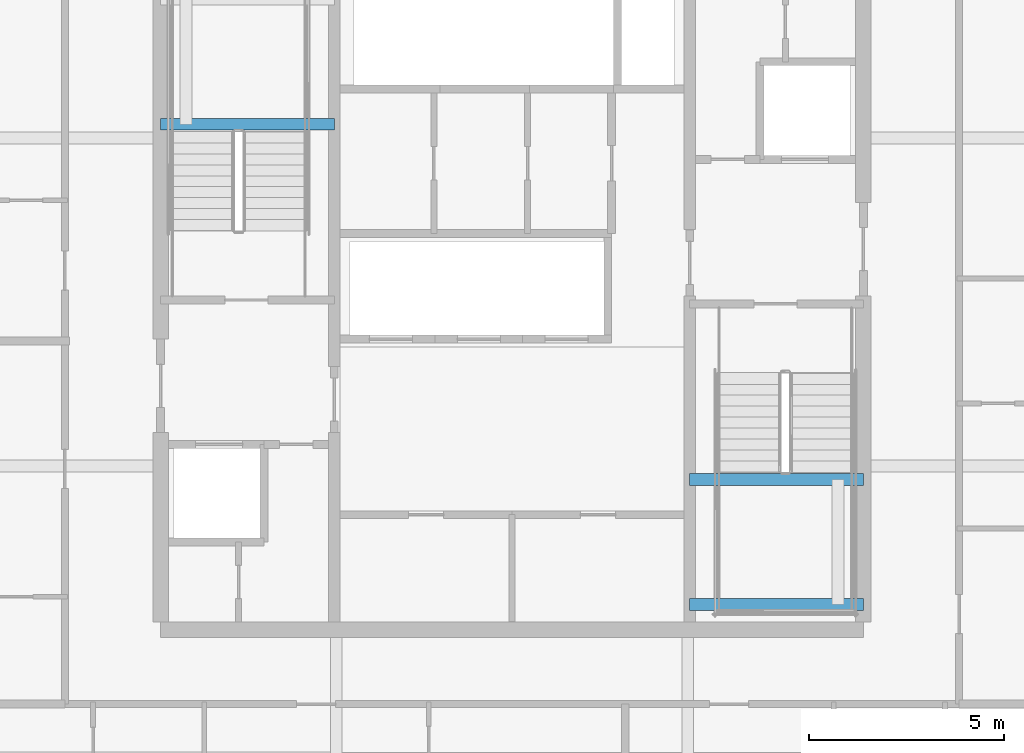
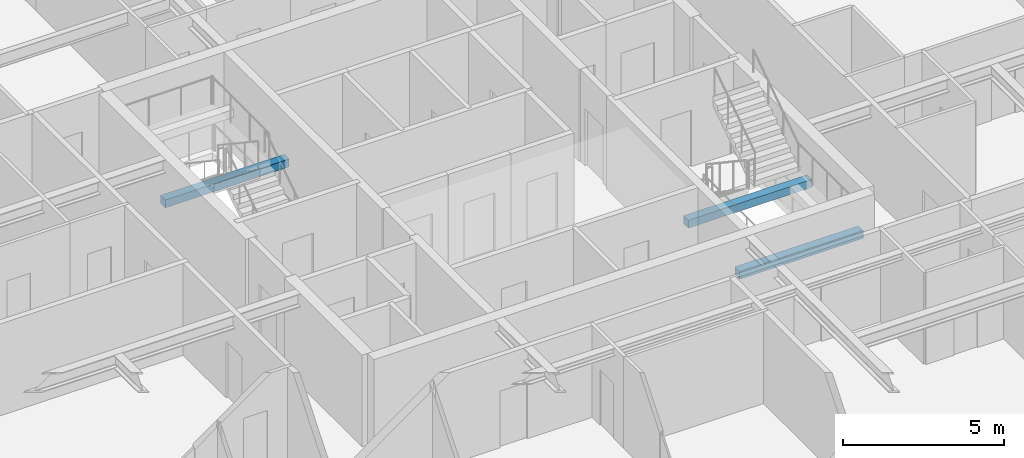
# One storey, part 10 of 38: 3 beams.
"""IFC4 building model written with IfcOpenShell, lengths in metres."""

import ifcopenshell
import ifcopenshell.guid

model = None  # the IFC model being written
_history = None  # IfcOwnerHistory: only IFC2X3 demands one
_inside = {}  # id of a spatial element -> (the spatial element, [elements in it])
_under = {}  # id of a project, library or spatial element -> (it, [spatial elements below it])
_declared = {}  # id of a project -> (the project, [libraries it declares])
_typed = {}  # id of a type object -> (the type object, [elements of that type])
_made_of = {}  # id of a material, layer set ... -> (it, [elements and type objects made of it])


def new_model(schema):
    """Start an empty IFC model of exactly this schema.

    Asked for "IFC4X3", IfcOpenShell would pick the latest addendum, in which some entities
    have other attributes; the version numbers below select the first issue.
    IFC2X3 requires an IfcOwnerHistory on every rooted entity: one is made here for all.
    """
    global model, _history
    if schema == "IFC4X3":
        model = ifcopenshell.file(schema_version=(4, 3, 0, 0))
    else:
        model = ifcopenshell.file(schema=schema)
    _inside.clear()
    _under.clear()
    _declared.clear()
    _typed.clear()
    _made_of.clear()
    _history = None
    if model.schema == "IFC2X3":
        org = make("IfcOrganization", Name="unknown")
        user = make(
            "IfcPersonAndOrganization",
            ThePerson=make("IfcPerson", FamilyName="unknown"),
            TheOrganization=org,
        )
        app = make(
            "IfcApplication",
            ApplicationDeveloper=org,
            Version="unknown",
            ApplicationFullName="unknown",
            ApplicationIdentifier="unknown",
        )
        _history = make(
            "IfcOwnerHistory",
            OwningUser=user,
            OwningApplication=app,
            ChangeAction="ADDED",
            CreationDate=0,
        )
    return model


def make(cls, **values):
    """One entity of the class cls with the attributes given. An attribute that is None is left unset."""
    return model.create_entity(
        cls, **{name: value for name, value in values.items() if value is not None}
    )


def rooted(cls, **values):
    """An entity with a GlobalId (a new one), such as an element, a storey or a relation."""
    return make(cls, GlobalId=ifcopenshell.guid.new(), OwnerHistory=_history, **values)


def si_unit(unit_type, name, prefix=None):
    """IfcSIUnit, for example si_unit("LENGTHUNIT", "METRE", prefix="MILLI")."""
    return make("IfcSIUnit", UnitType=unit_type, Prefix=prefix, Name=name)


def assignment(units):
    """IfcUnitAssignment: the units of a project."""
    return None if units is None else make("IfcUnitAssignment", Units=units)


def point(xyz):
    """IfcCartesianPoint."""
    return None if xyz is None else make("IfcCartesianPoint", Coordinates=xyz)


def direction(xyz):
    """IfcDirection."""
    return None if xyz is None else make("IfcDirection", DirectionRatios=xyz)


def frame(location, z_axis=None, x_axis=None):
    """IfcAxis2Placement3D, a coordinate frame: its origin and axes. An axis left out is left unset."""
    return make(
        "IfcAxis2Placement3D",
        Location=point(location),
        Axis=direction(z_axis),
        RefDirection=direction(x_axis),
    )


def frame_2d(location, x_axis=None):
    """IfcAxis2Placement2D, a coordinate frame in the plane: its origin and x axis."""
    return make(
        "IfcAxis2Placement2D", Location=point(location), RefDirection=direction(x_axis)
    )


def origin():
    """The frame at (0, 0, 0) with its axes left unset."""
    return frame((0.0, 0.0, 0.0))


def origin_2d():
    """The frame at (0, 0) in the plane with its x axis left unset."""
    return frame_2d((0.0, 0.0))


def place(relative_to, where):
    """IfcLocalPlacement: puts the frame where relative to a parent placement (None: the world)."""
    return make(
        "IfcLocalPlacement", PlacementRelTo=relative_to, RelativePlacement=where
    )


def context(
    kind, dimensions, precision=None, world=None, true_north=None, identifier=None
):
    """IfcGeometricRepresentationContext, for example the 3D "Model" context."""
    return make(
        "IfcGeometricRepresentationContext",
        ContextIdentifier=identifier,
        ContextType=kind,
        CoordinateSpaceDimension=dimensions,
        Precision=precision,
        WorldCoordinateSystem=world,
        TrueNorth=true_north,
    )


def subcontext(parent, identifier, kind, view, scale=None):
    """IfcGeometricRepresentationSubContext, for example "Body" below "Model"."""
    return make(
        "IfcGeometricRepresentationSubContext",
        ContextIdentifier=identifier,
        ContextType=kind,
        ParentContext=parent,
        TargetScale=scale,
        TargetView=view,
    )


def project(units=None, contexts=None):
    """IfcProject with its units and contexts."""
    return rooted(
        "IfcProject",
        Name="project",
        RepresentationContexts=contexts,
        UnitsInContext=assignment(units),
    )


def spatial(cls, under=None, at=None, **own):
    """A site, building, storey or space (cls), placed at a placement, below another one or the project."""
    s = rooted(cls, ObjectPlacement=at, **own)
    if under is not None:
        _under.setdefault(under.id(), (under, []))[1].append(s)
    return s


def profile(cls, at=None, kind="AREA", **sizes):
    """A parametric profile (cls). Its sizes go by their IFC names, for example OverallWidth=200.0."""
    return make(cls, ProfileType=kind, Position=at, **sizes)


def rectangle(**sizes):
    """IfcRectangleProfileDef."""
    return profile("IfcRectangleProfileDef", **sizes)


def extrude(swept, where, along, depth):
    """IfcExtrudedAreaSolid: the profile swept, set in the frame where, extruded along a direction by depth."""
    return make(
        "IfcExtrudedAreaSolid",
        SweptArea=swept,
        Position=where,
        ExtrudedDirection=direction(along),
        Depth=depth,
    )


def shape(context_of_items, identifier, shape_type, items):
    """IfcShapeRepresentation: the items that make up one representation, for example the "Body"."""
    return make(
        "IfcShapeRepresentation",
        ContextOfItems=context_of_items,
        RepresentationIdentifier=identifier,
        RepresentationType=shape_type,
        Items=items,
    )


def source(mapping_origin, context_of_items, identifier, shape_type, items):
    """IfcRepresentationMap: a shape defined once, which mapped items show again and again."""
    return make(
        "IfcRepresentationMap",
        MappingOrigin=mapping_origin,
        MappedRepresentation=shape(context_of_items, identifier, shape_type, items),
    )


def transform(
    local_origin,
    x_axis=None,
    y_axis=None,
    z_axis=None,
    scale=None,
    scale2=None,
    scale3=None,
    uniform=True,
):
    """IfcCartesianTransformationOperator3D, or its non-uniform kind. x_axis, y_axis, z_axis: its Axis1, 2, 3."""
    if uniform:
        return make(
            "IfcCartesianTransformationOperator3D",
            Axis1=direction(x_axis),
            Axis2=direction(y_axis),
            LocalOrigin=point(local_origin),
            Scale=scale,
            Axis3=direction(z_axis),
        )
    return make(
        "IfcCartesianTransformationOperator3DnonUniform",
        Axis1=direction(x_axis),
        Axis2=direction(y_axis),
        LocalOrigin=point(local_origin),
        Scale=scale,
        Axis3=direction(z_axis),
        Scale2=scale2,
        Scale3=scale3,
    )


def mapped(mapping_source, mapping_target):
    """IfcMappedItem: shows the shape of a source again, moved by a transform."""
    return make(
        "IfcMappedItem", MappingSource=mapping_source, MappingTarget=mapping_target
    )


def material(Name=None, Category=None):
    """IfcMaterial."""
    return make("IfcMaterial", Name=Name, Category=Category)


def material_profile(
    of_material, cross_section, Name=None, Category=None, Priority=None
):
    """IfcMaterialProfile: a cross section and its material."""
    return make(
        "IfcMaterialProfile",
        Name=Name,
        Material=of_material,
        Profile=cross_section,
        Priority=Priority,
        Category=Category,
    )


def profile_set(profiles, Name=None, composite=None):
    """IfcMaterialProfileSet."""
    return make(
        "IfcMaterialProfileSet",
        Name=Name,
        MaterialProfiles=profiles,
        CompositeProfile=composite,
    )


def made_of(thing, what):
    """Note that an element or type object is made of a material, layer set ...; save() writes the relation."""
    if what is not None:
        _made_of.setdefault(what.id(), (what, []))[1].append(thing)
    return thing


def type_object(cls, material=None, **own):
    """A type object (cls), such as IfcWallType, which elements share."""
    return made_of(rooted(cls, **own), material)


def element(
    cls,
    number,
    at=None,
    inside=None,
    cuts=None,
    type_object=None,
    material=None,
    context=None,
    identifier="Body",
    shape_type=None,
    held_by="IfcProductDefinitionShape",
    body=None,
    shapes=None,
    **own,
):
    """One element of the class cls, such as IfcWall. Its Tag is "e" and its number.

    at: its placement. inside: the storey or other place that contains it. cuts: it is an
    opening in that element (IfcRelVoidsElement). A single representation is given by context,
    identifier, shape_type and body (its items); several are given by shapes. held_by: the class
    of the entity that holds the representations. save() writes the other relations.
    """
    e = rooted(cls, Tag="e%d" % number, ObjectPlacement=at, **own)
    if body is not None:
        shapes = [shape(context, identifier, shape_type, body)]
    if shapes is not None:
        e.Representation = make(held_by, Representations=shapes)
    if inside is not None:
        _inside.setdefault(inside.id(), (inside, []))[1].append(e)
    if cuts is not None:
        rooted(
            "IfcRelVoidsElement", RelatingBuildingElement=cuts, RelatedOpeningElement=e
        )
    if type_object is not None:
        _typed.setdefault(type_object.id(), (type_object, []))[1].append(e)
    return made_of(e, material)


def aggregate(whole, parts):
    """IfcRelAggregates: a whole, such as a stair, and the parts it consists of."""
    return rooted("IfcRelAggregates", RelatingObject=whole, RelatedObjects=parts)


def save(model, path):
    """Write the relations noted so far, then the file.

    IfcRelAggregates (storeys below a building ...), IfcRelContainedInSpatialStructure (elements
    in a storey), IfcRelDefinesByType, IfcRelAssociatesMaterial and IfcRelDeclares: one each for
    every whole, place, type object, material and project.
    """
    for whole, parts in _under.values():
        aggregate(whole, parts)
    for where, things in _inside.values():
        rooted(
            "IfcRelContainedInSpatialStructure",
            RelatedElements=things,
            RelatingStructure=where,
        )
    for kind, things in _typed.values():
        rooted("IfcRelDefinesByType", RelatedObjects=things, RelatingType=kind)
    for what, things in _made_of.values():
        rooted("IfcRelAssociatesMaterial", RelatedObjects=things, RelatingMaterial=what)
    for by, libraries in _declared.values():
        rooted("IfcRelDeclares", RelatingContext=by, RelatedDefinitions=libraries)
    model.write(path)


model = new_model("IFC4")

# Units and contexts
model_context = context("Model", 3, precision=1e-05, world=origin(), true_north=direction((0.0, 1.0)))
body_context = subcontext(model_context, "Body", "Model", "MODEL_VIEW")
ifc_project = project(units=[si_unit("LENGTHUNIT", "METRE"), si_unit("AREAUNIT", "SQUARE_METRE"), si_unit("VOLUMEUNIT", "CUBIC_METRE"), si_unit("PLANEANGLEUNIT", "RADIAN"), si_unit("MASSUNIT", "GRAM", prefix="KILO")], contexts=[model_context])

# Site, building, storey
site_placement = place(None, origin())
site = spatial("IfcSite", under=ifc_project, at=site_placement, CompositionType="ELEMENT")
building_placement = place(site_placement, origin())
building = spatial("IfcBuilding", under=site, at=building_placement, Name="Serunith Strait Residences", CompositionType="ELEMENT")
storey_placement = place(building_placement, frame((0.0, 0.0, 176.39990234375)))
storey = spatial("IfcBuildingStorey", under=building, at=storey_placement, Name="L44", CompositionType="ELEMENT", Elevation=176.39990234375)

# Beams
ifc_material = material(Name="Concrete C60/75", Category="concrete")
ifc_material_profile = material_profile(ifc_material, rectangle(XDim=0.300048828125, YDim=0.300048828125, at=origin_2d()), Name="RC 300x300")
ifc_profile_set = profile_set([ifc_material_profile], Name="Concrete C60/75")
beam_type = type_object("IfcBeamType", Name="BM-LAND-300x300", PredefinedType="BEAM", material=ifc_profile_set)
shared_shape_1 = source(origin(), body_context, "Body", "SweptSolid", [
    extrude(rectangle(XDim=0.300048828125, YDim=0.300048828125, at=origin_2d()), origin(), (0.0, 0.0, 1.0), 4.4501953125),
])
beam_placement = place(storey_placement, frame((23.39990234375, 29.75, 1.525146484375), z_axis=(1.0, 0.0, 0.0), x_axis=(0.0, 1.0, 0.0)))
element("IfcBeam", 1, at=beam_placement, inside=storey, type_object=beam_type, Name="L44 ST-1 Landing Support Beam 1", PredefinedType="BEAM", context=body_context, shape_type="MappedRepresentation", body=[
    mapped(shared_shape_1, transform((0.0, 0.0, 0.0), scale=1.0)),
])
shared_shape_2 = source(origin(), body_context, "Body", "SweptSolid", [
    extrude(rectangle(XDim=0.300048828125, YDim=0.300048828125, at=origin_2d()), origin(), (0.0, 0.0, 1.0), 4.449951171875),
])
for number, where, z_axis, x_axis, name in (
    (2, (36.949951171875, 17.449951171875, 1.525146484375), (1.0, 0.0, 0.0), (0.0, 1.0, 0.0), "L44 ST-2 Landing Support Beam 1"),
    (3, (36.949951171875, 20.64990234375, 1.525146484375), (1.0, 0.0, 0.0), (0.0, 1.0, 0.0), "L44 ST-2 Landing Support Beam 2"),
):
    element("IfcBeam", number, at=place(storey_placement, frame(where, z_axis=z_axis, x_axis=x_axis)), inside=storey, type_object=beam_type, Name=name, PredefinedType="BEAM", context=body_context, shape_type="MappedRepresentation", body=[
        mapped(shared_shape_2, transform((0.0, 0.0, 0.0), scale=1.0)),
    ])

save(model, "model.ifc")
